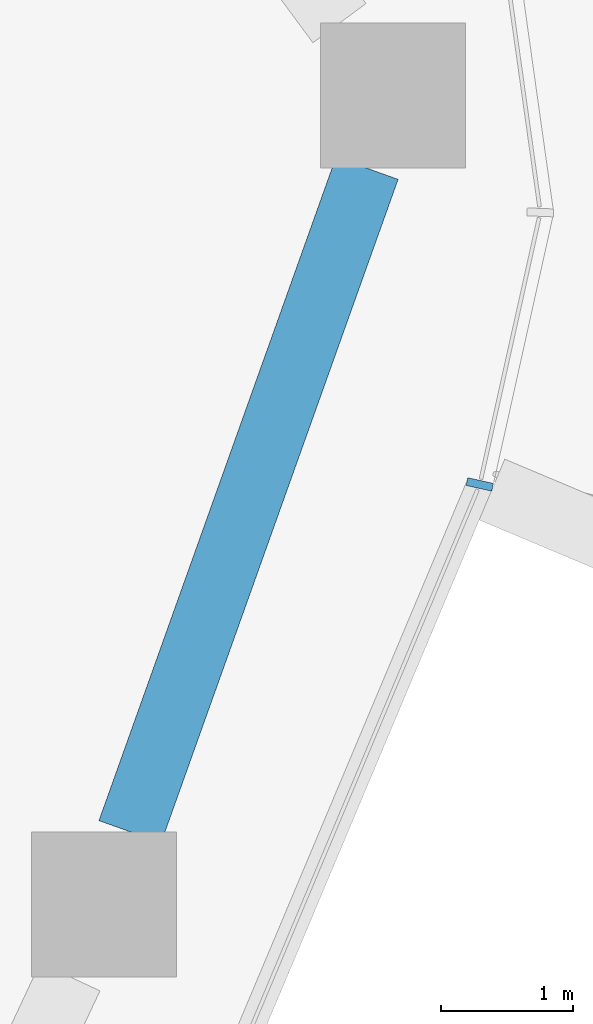
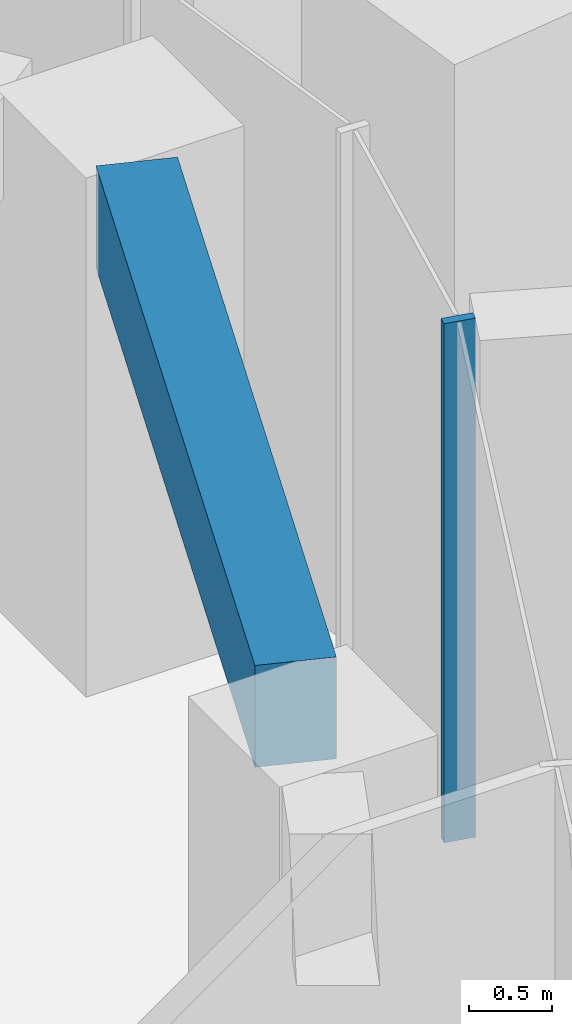
# One storey, part 5 of 20: 1 beam, 1 member, 1 element without a shape of its own.
"""IFC4 building model written with IfcOpenShell, lengths in metres."""

from ifc_helpers import new_model, si_unit, direction, frame, origin, origin_2d, place, context, subcontext, project, spatial, rectangle, extrude, material, layer, layer_set, material_profile, profile_set, type_object, element, aggregate, save


model = new_model("IFC4")

# Units and contexts
model_context = context("Model", 3, precision=1e-05, world=origin(), true_north=direction((0.0, 1.0)))
body_context = subcontext(model_context, "Body", "Model", "MODEL_VIEW")
ifc_project = project(units=[si_unit("LENGTHUNIT", "METRE"), si_unit("AREAUNIT", "SQUARE_METRE"), si_unit("VOLUMEUNIT", "CUBIC_METRE"), si_unit("PLANEANGLEUNIT", "RADIAN"), si_unit("MASSUNIT", "GRAM", prefix="KILO")], contexts=[model_context])

# Site, building, storey
site_placement = place(None, origin())
site = spatial("IfcSite", under=ifc_project, at=site_placement, CompositionType="ELEMENT")
building_placement = place(site_placement, origin())
building = spatial("IfcBuilding", under=site, at=building_placement, Name="Dongbaek Canopy Tower", CompositionType="ELEMENT")
storey_placement = place(building_placement, frame((0.0, 0.0, 262.199951171875)))
storey = spatial("IfcBuildingStorey", under=building, at=storey_placement, Name="L55", CompositionType="ELEMENT", Elevation=262.199951171875)

# Curtain wall, member
ifc_material_1 = material(Name="Aluminium 6063-T6 pale anodised", Category="aluminium")
ifc_layer = layer(ifc_material_1, 0.199951171875)
ifc_layer_set = layer_set([ifc_layer], Name="CW-1 unitised tower curtain wall")
curtain_wall_type = type_object("IfcCurtainWallType", Name="CW-1 unitised tower curtain wall", PredefinedType="NOTDEFINED", material=ifc_layer_set)
curtain_wall_placement = place(storey_placement, origin())
curtain_wall = element("IfcCurtainWall", 1, at=curtain_wall_placement, inside=storey, type_object=curtain_wall_type, Name="CW-1 curtain wall K0.1", PredefinedType="NOTDEFINED")
ifc_material_2 = material(Name="Aluminium 6063-T6 pale anodised", Category="aluminium")
ifc_material_profile_1 = material_profile(ifc_material_2, rectangle(XDim=0.199951171875, YDim=0.06005859375, at=origin_2d()), Name="CW-1 mullion 60 x 200")
ifc_profile_set_1 = profile_set([ifc_material_profile_1], Name="Aluminium 6063-T6 pale anodised")
member_type = type_object("IfcMemberType", Name="CW-1 mullion 60 x 200", PredefinedType="MULLION", material=ifc_profile_set_1)
member_placement = place(storey_placement, frame((28.14990234375, 3.0302734375, 0.0), z_axis=(0.0, 0.0, 1.0), x_axis=(0.976146824965, -0.21711143708, 0.0)))
member = element("IfcMember", 2, at=member_placement, type_object=member_type, Name="CW-1 mullion K0.1.1", PredefinedType="MULLION", context=body_context, shape_type="SweptSolid", body=[
    extrude(rectangle(XDim=0.199951171875, YDim=0.06005859375, at=origin_2d()), origin(), (0.0, 0.0, 1.0), 3.820068359375),
])
aggregate(curtain_wall, [member])

# Beam
ifc_material_3 = material(Name="Concrete C70", Category="concrete")
ifc_material_profile_2 = material_profile(ifc_material_3, rectangle(XDim=0.5, YDim=0.75, at=origin_2d()), Name="RC EDGE BEAM 500x750 C70")
ifc_profile_set_2 = profile_set([ifc_material_profile_2], Name="Concrete C70")
beam_type = type_object("IfcBeamType", Name="RC EDGE BEAM 500x750 C70", PredefinedType="BEAM", material=ifc_profile_set_2)
beam_placement = place(storey_placement, frame((27.29541015625, 5.427001953125, 3.445068359375), z_axis=(-0.336466714227, -0.94169535956, 0.0), x_axis=(0.94169535956, -0.336466714227, 0.0)))
element("IfcBeam", 3, at=beam_placement, inside=storey, type_object=beam_type, Name="EDGEBEAM:L55:21", PredefinedType="BEAM", context=body_context, shape_type="SweptSolid", body=[
    extrude(rectangle(XDim=0.5, YDim=0.75, at=origin_2d()), origin(), (0.0, 0.0, 1.0), 5.34033203125),
])

save(model, "model.ifc")
